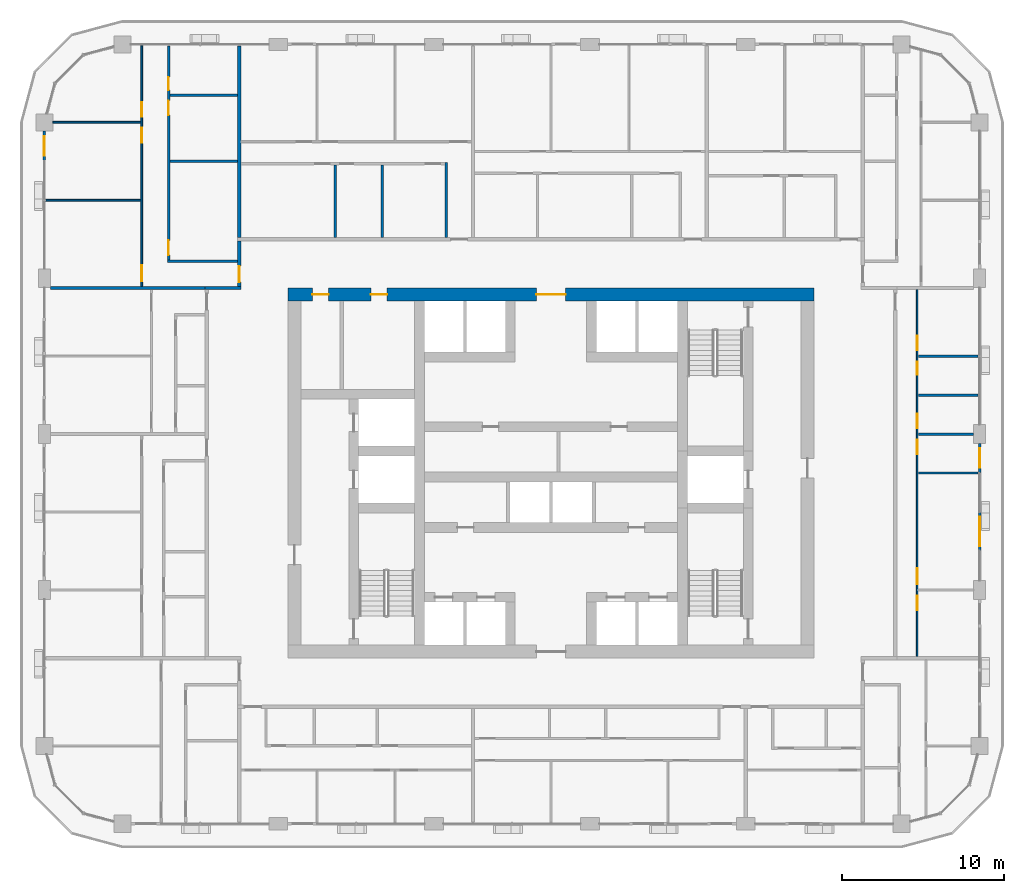
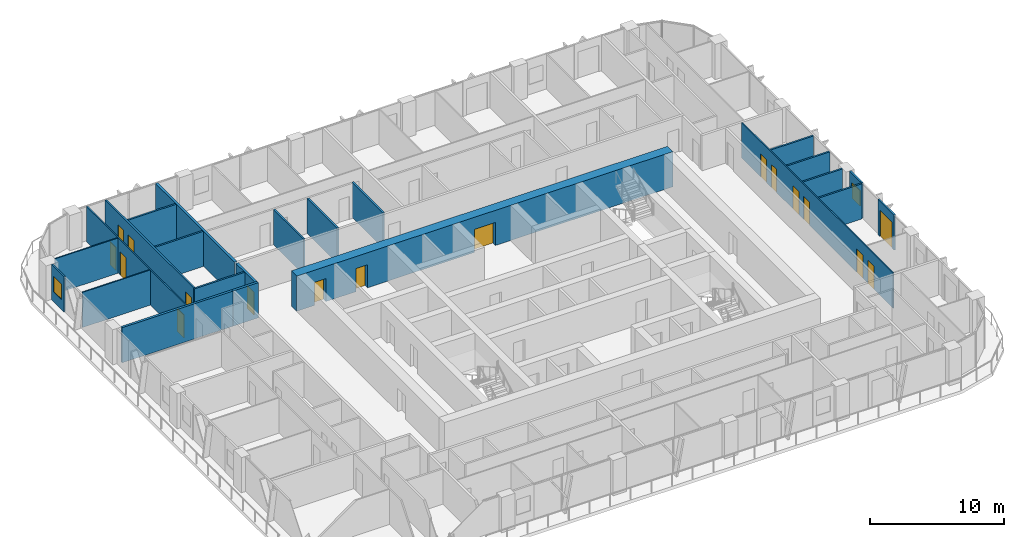
# One storey, part 13 of 22: 23 walls, 17 doors, 2 windows, 19 openings.
"""IFC4 building model written with IfcOpenShell, lengths in metres."""

from ifc_helpers import new_model, si_unit, direction, frame, frame_2d, origin, place, context, subcontext, project, spatial, rectangle, extrude, material, layer, layer_set, type_object, element, fill, save


model = new_model("IFC4")

# Units and contexts
model_context = context("Model", 3, precision=1e-05, world=origin(), true_north=direction((0.0, 1.0)))
body_context = subcontext(model_context, "Body", "Model", "MODEL_VIEW")
ifc_project = project(units=[si_unit("LENGTHUNIT", "METRE"), si_unit("AREAUNIT", "SQUARE_METRE"), si_unit("VOLUMEUNIT", "CUBIC_METRE"), si_unit("PLANEANGLEUNIT", "RADIAN"), si_unit("MASSUNIT", "GRAM", prefix="KILO")], contexts=[model_context])

# Site, building, storey
site_placement = place(None, origin())
site = spatial("IfcSite", under=ifc_project, at=site_placement, CompositionType="ELEMENT")
building_placement = place(site_placement, origin())
building = spatial("IfcBuilding", under=site, at=building_placement, Name="Madar Terraces", CompositionType="ELEMENT")
storey_placement = place(building_placement, frame((0.0, 0.0, 119.10009765625)))
storey = spatial("IfcBuildingStorey", under=building, at=storey_placement, Name="L30", CompositionType="ELEMENT", Elevation=119.10009765625)

# Wall, openings, doors
ifc_material_1 = material(Name="Concrete C70/85", Category="concrete")
ifc_layer_1 = layer(ifc_material_1, 0.800048828125)
ifc_layer_set_1 = layer_set([ifc_layer_1], Name="Concrete C70/85 (CRW3 RC wall 800)")
wall_type_1 = type_object("IfcWallType", Name="CRW3 RC wall 800", PredefinedType="SHEAR", material=ifc_layer_set_1)
wall_1_placement = place(storey_placement, frame((15.0, 37.39990234375, 0.0), z_axis=(0.0, 0.0, 1.0), x_axis=(1.0, 0.0, 0.0)))
wall_1 = element("IfcWall", 1, at=wall_1_placement, inside=storey, type_object=wall_type_1, Name="CORE OUTER WALL", PredefinedType="SHEAR", context=body_context, shape_type="SweptSolid", body=[
    extrude(rectangle(XDim=32.39990234375, YDim=0.800048828125, at=frame_2d((16.199951171875, 0.0))), origin(), (0.0, 0.0, 1.0), 3.199951171875),
])
opening_1_placement = place(wall_1_placement, frame((15.300048828125, 0.0, 0.0)))
opening_1 = element("IfcOpeningElement", 2, at=opening_1_placement, cuts=wall_1, Name="Opening KD1", PredefinedType="OPENING", context=body_context, shape_type="SweptSolid", body=[
    extrude(rectangle(XDim=1.800048828125, YDim=2.10009765625, at=frame_2d((0.89990234375, 1.050048828125))), frame((0.0, 0.409912109375, 0.0), z_axis=(0.0, -1.0, 0.0), x_axis=(1.0, 0.0, 0.0)), (0.0, 0.0, 1.0), 0.820068359375),
])
opening_2_placement = place(wall_1_placement, frame((1.510009765625, 0.0, 0.0)))
opening_2 = element("IfcOpeningElement", 3, at=opening_2_placement, cuts=wall_1, Name="Opening KD2", PredefinedType="OPENING", context=body_context, shape_type="SweptSolid", body=[
    extrude(rectangle(XDim=1.0, YDim=2.10009765625, at=frame_2d((0.5, 1.050048828125))), frame((0.0, 0.409912109375, 0.0), z_axis=(0.0, -1.0, 0.0), x_axis=(1.0, 0.0, 0.0)), (0.0, 0.0, 1.0), 0.820068359375),
])
opening_3_placement = place(wall_1_placement, frame((5.110107421875, 0.0, 0.0)))
opening_3 = element("IfcOpeningElement", 4, at=opening_3_placement, cuts=wall_1, Name="Opening KD2", PredefinedType="OPENING", context=body_context, shape_type="SweptSolid", body=[
    extrude(rectangle(XDim=1.0, YDim=2.10009765625, at=frame_2d((0.5, 1.050048828125))), frame((0.0, 0.409912109375, 0.0), z_axis=(0.0, -1.0, 0.0), x_axis=(1.0, 0.0, 0.0)), (0.0, 0.0, 1.0), 0.820068359375),
])
ifc_material_2 = material(Name="Steel door leaf", Category="steel")
door_type_1 = type_object("IfcDoorType", Name="Lobby door pair 1800 x 2100", OperationType="DOUBLE_DOOR_SINGLE_SWING", PredefinedType="DOOR", material=ifc_material_2)
door_1_placement = place(opening_1_placement, origin())
door_1 = element("IfcDoor", 5, at=door_1_placement, inside=storey, type_object=door_type_1, Name="LIFT LOBBY DOOR", OperationType="DOUBLE_DOOR_SINGLE_SWING", OverallHeight=2.10009765625, OverallWidth=1.800048828125, PredefinedType="DOOR", context=body_context, shape_type="SweptSolid", body=[
    extrude(rectangle(XDim=1.800048828125, YDim=2.10009765625, at=frame_2d((0.89990234375, 1.050048828125))), frame((0.0, 0.02490234375, 0.0), z_axis=(0.0, -1.0, 0.0), x_axis=(1.0, 0.0, 0.0)), (0.0, 0.0, 1.0), 0.050048828125),
])
fill(opening_1, door_1)
ifc_material_3 = material(Name="Steel door leaf", Category="steel")
door_type_2 = type_object("IfcDoorType", Name="Service room door 1000 x 2100", OperationType="NOTDEFINED", PredefinedType="DOOR", material=ifc_material_3)
door_2_placement = place(opening_2_placement, origin())
door_2 = element("IfcDoor", 6, at=door_2_placement, inside=storey, type_object=door_type_2, Name="SERVICE ROOM DOOR", OperationType="SINGLE_SWING_LEFT", OverallHeight=2.10009765625, OverallWidth=1.0, PredefinedType="DOOR", context=body_context, shape_type="SweptSolid", body=[
    extrude(rectangle(XDim=1.0, YDim=2.10009765625, at=frame_2d((0.5, 1.050048828125))), frame((0.0, 0.02490234375, 0.0), z_axis=(0.0, -1.0, 0.0), x_axis=(1.0, 0.0, 0.0)), (0.0, 0.0, 1.0), 0.050048828125),
])
fill(opening_2, door_2)
door_3_placement = place(opening_3_placement, origin())
door_3 = element("IfcDoor", 7, at=door_3_placement, inside=storey, type_object=door_type_2, Name="SERVICE ROOM DOOR", OperationType="SINGLE_SWING_RIGHT", OverallHeight=2.10009765625, OverallWidth=1.0, PredefinedType="DOOR", context=body_context, shape_type="SweptSolid", body=[
    extrude(rectangle(XDim=1.0, YDim=2.10009765625, at=frame_2d((0.5, 1.050048828125))), frame((0.0, 0.02490234375, 0.0), z_axis=(0.0, -1.0, 0.0), x_axis=(1.0, 0.0, 0.0)), (0.0, 0.0, 1.0), 0.050048828125),
])
fill(opening_3, door_3)

# Wall, opening, door
ifc_material_4 = material(Name="Aluminium composite panel, black, over insulated backing", Category="aluminium")
ifc_layer_2 = layer(ifc_material_4, 0.14990234375)
ifc_layer_set_2 = layer_set([ifc_layer_2], Name="Facade bay panel 150")
wall_type_2 = type_object("IfcWallType", Name="Facade bay panel 150", PredefinedType="SOLIDWALL", material=ifc_layer_set_2)
wall_2_placement = place(storey_placement, frame((57.60009765625, 21.60009765625, 0.0), z_axis=(0.0, 0.0, 1.0), x_axis=(0.0, 1.0, 0.0)))
wall_2 = element("IfcWall", 8, at=wall_2_placement, inside=storey, type_object=wall_type_2, Name="Facade bay panel", PredefinedType="SOLIDWALL", context=body_context, shape_type="SweptSolid", body=[
    extrude(rectangle(XDim=2.39990234375, YDim=0.14990234375, at=frame_2d((1.199951171875, 0.0))), origin(), (0.0, 0.0, 1.0), 3.199951171875),
])
opening_4_placement = place(wall_2_placement, frame((0.300048828125, 0.0, 0.0)))
opening_4 = element("IfcOpeningElement", 9, at=opening_4_placement, cuts=wall_2, Name="Opening ED1", PredefinedType="OPENING", context=body_context, shape_type="SweptSolid", body=[
    extrude(rectangle(XDim=1.800048828125, YDim=2.39990234375, at=frame_2d((0.89990234375, 1.199951171875))), frame((0.0, 0.0849609375, 0.0), z_axis=(0.0, -1.0, 0.0), x_axis=(1.0, 0.0, 0.0)), (0.0, 0.0, 1.0), 0.169921875),
])
ifc_material_5 = material(Name="Glass, clear, with black aluminium frame", Category="aluminium")
door_type_3 = type_object("IfcDoorType", Name="Balcony and terrace sliding door 1800 x 2400", OperationType="SLIDING_TO_LEFT", PredefinedType="DOOR", material=ifc_material_5)
door_4_placement = place(opening_4_placement, origin())
door_4 = element("IfcDoor", 10, at=door_4_placement, inside=storey, type_object=door_type_3, Name="Balcony door", OperationType="SLIDING_TO_RIGHT", OverallHeight=2.39990234375, OverallWidth=1.800048828125, PredefinedType="DOOR", context=body_context, shape_type="SweptSolid", body=[
    extrude(rectangle(XDim=1.800048828125, YDim=2.39990234375, at=frame_2d((0.89990234375, 1.199951171875))), frame((0.0, 0.02490234375, 0.0), z_axis=(0.0, -1.0, 0.0), x_axis=(1.0, 0.0, 0.0)), (0.0, 0.0, 1.0), 0.050048828125),
])
fill(opening_4, door_4)

# Wall, opening, window
wall_3_placement = place(storey_placement, frame((57.60009765625, 26.39990234375, 0.0), z_axis=(0.0, 0.0, 1.0), x_axis=(0.0, 1.0, 0.0)))
wall_3 = element("IfcWall", 11, at=wall_3_placement, inside=storey, type_object=wall_type_2, Name="Facade bay panel", PredefinedType="SOLIDWALL", context=body_context, shape_type="SweptSolid", body=[
    extrude(rectangle(XDim=1.8251953125, YDim=0.14990234375, at=frame_2d((0.91259765625, 0.0))), origin(), (0.0, 0.0, 1.0), 3.199951171875),
])
opening_5_placement = place(wall_3_placement, frame((0.3125, 0.0, 0.89990234375)))
opening_5 = element("IfcOpeningElement", 12, at=opening_5_placement, cuts=wall_3, Name="Opening W1", PredefinedType="OPENING", context=body_context, shape_type="SweptSolid", body=[
    extrude(rectangle(XDim=1.199951171875, YDim=1.39990234375, at=frame_2d((0.60009765625, 0.699951171875))), frame((0.0, 0.0849609375, 0.0), z_axis=(0.0, -1.0, 0.0), x_axis=(1.0, 0.0, 0.0)), (0.0, 0.0, 1.0), 0.169921875),
])
ifc_material_6 = material(Name="Glass, clear, with black aluminium frame", Category="aluminium")
window_type = type_object("IfcWindowType", Name="Vent window 1200 x 1400", PartitioningType="SINGLE_PANEL", PredefinedType="WINDOW", material=ifc_material_6)
window_1_placement = place(opening_5_placement, origin())
window_1 = element("IfcWindow", 13, at=window_1_placement, inside=storey, type_object=window_type, Name="Operable vent window", OverallHeight=1.39990234375, OverallWidth=1.199951171875, PartitioningType="SINGLE_PANEL", PredefinedType="WINDOW", context=body_context, shape_type="SweptSolid", body=[
    extrude(rectangle(XDim=1.199951171875, YDim=1.39990234375, at=frame_2d((0.60009765625, 0.699951171875))), frame((0.0, 0.030029296875, 0.0), z_axis=(0.0, -1.0, 0.0), x_axis=(1.0, 0.0, 0.0)), (0.0, 0.0, 1.0), 0.06005859375),
])
fill(opening_5, window_1)

wall_4_placement = place(storey_placement, frame((0.0, 47.47509765625, 0.0), z_axis=(0.0, 0.0, 1.0), x_axis=(0.0, -1.0, 0.0)))
wall_4 = element("IfcWall", 14, at=wall_4_placement, inside=storey, type_object=wall_type_2, Name="Facade bay panel", PredefinedType="SOLIDWALL", context=body_context, shape_type="SweptSolid", body=[
    extrude(rectangle(XDim=1.875, YDim=0.14990234375, at=frame_2d((0.9375, 0.0))), origin(), (0.0, 0.0, 1.0), 3.199951171875),
])
opening_6_placement = place(wall_4_placement, frame((0.33740234375, 0.0, 0.89990234375)))
opening_6 = element("IfcOpeningElement", 15, at=opening_6_placement, cuts=wall_4, Name="Opening W1", PredefinedType="OPENING", context=body_context, shape_type="SweptSolid", body=[
    extrude(rectangle(XDim=1.199951171875, YDim=1.39990234375, at=frame_2d((0.60009765625, 0.699951171875))), frame((0.0, 0.0849609375, 0.0), z_axis=(0.0, -1.0, 0.0), x_axis=(1.0, 0.0, 0.0)), (0.0, 0.0, 1.0), 0.169921875),
])
window_2_placement = place(opening_6_placement, origin())
window_2 = element("IfcWindow", 16, at=window_2_placement, inside=storey, type_object=window_type, Name="Operable vent window", OverallHeight=1.39990234375, OverallWidth=1.199951171875, PartitioningType="SINGLE_PANEL", PredefinedType="WINDOW", context=body_context, shape_type="SweptSolid", body=[
    extrude(rectangle(XDim=1.199951171875, YDim=1.39990234375, at=frame_2d((0.60009765625, 0.699951171875))), frame((0.0, 0.030029296875, 0.0), z_axis=(0.0, -1.0, 0.0), x_axis=(1.0, 0.0, 0.0)), (0.0, 0.0, 1.0), 0.06005859375),
])
fill(opening_6, window_2)

# Wall, openings, doors
ifc_material_7 = material(Name="Gypsum board on steel studs", Category="steel")
ifc_layer_3 = layer(ifc_material_7, 0.10009765625)
ifc_layer_set_3 = layer_set([ifc_layer_3], Name="Flat partition 100")
wall_type_3 = type_object("IfcWallType", Name="Flat partition 100", PredefinedType="PARTITIONING", material=ifc_layer_set_3)
wall_5_placement = place(storey_placement, frame((53.75, 37.699951171875, 0.0), z_axis=(0.0, 0.0, 1.0), x_axis=(0.0, -1.0, 0.0)))
wall_5 = element("IfcWall", 17, at=wall_5_placement, inside=storey, type_object=wall_type_3, Name="Flat partition 100", PredefinedType="PARTITIONING", context=body_context, shape_type="SweptSolid", body=[
    extrude(rectangle(XDim=22.599853515625, YDim=0.10009765625, at=frame_2d((11.2998046875, 0.0))), origin(), (0.0, 0.0, 1.0), 3.199951171875),
])
opening_7_placement = place(wall_5_placement, frame((2.85009765625, 0.0, 0.0)))
opening_7 = element("IfcOpeningElement", 18, at=opening_7_placement, cuts=wall_5, Name="Opening D2", PredefinedType="OPENING", context=body_context, shape_type="SweptSolid", body=[
    extrude(rectangle(XDim=0.89990234375, YDim=2.10009765625, at=frame_2d((0.449951171875, 1.050048828125))), frame((0.0, 0.06005859375, 0.0), z_axis=(0.0, -1.0, 0.0), x_axis=(1.0, 0.0, 0.0)), (0.0, 0.0, 1.0), 0.1201171875),
])
opening_8_placement = place(wall_5_placement, frame((4.449951171875, 0.0, 0.0)))
opening_8 = element("IfcOpeningElement", 19, at=opening_8_placement, cuts=wall_5, Name="Opening D4", PredefinedType="OPENING", context=body_context, shape_type="SweptSolid", body=[
    extrude(rectangle(XDim=0.800048828125, YDim=2.10009765625, at=frame_2d((0.39990234375, 1.050048828125))), frame((0.0, 0.06005859375, 0.0), z_axis=(0.0, -1.0, 0.0), x_axis=(1.0, 0.0, 0.0)), (0.0, 0.0, 1.0), 0.1201171875),
])
opening_9_placement = place(wall_5_placement, frame((7.64990234375, 0.0, 0.0)))
opening_9 = element("IfcOpeningElement", 20, at=opening_9_placement, cuts=wall_5, Name="Opening D5", PredefinedType="OPENING", context=body_context, shape_type="SweptSolid", body=[
    extrude(rectangle(XDim=0.89990234375, YDim=2.10009765625, at=frame_2d((0.449951171875, 1.050048828125))), frame((0.0, 0.06005859375, 0.0), z_axis=(0.0, -1.0, 0.0), x_axis=(1.0, 0.0, 0.0)), (0.0, 0.0, 1.0), 0.1201171875),
])
opening_10_placement = place(wall_5_placement, frame((9.25, 0.0, 0.0)))
opening_10 = element("IfcOpeningElement", 21, at=opening_10_placement, cuts=wall_5, Name="Opening D2", PredefinedType="OPENING", context=body_context, shape_type="SweptSolid", body=[
    extrude(rectangle(XDim=0.89990234375, YDim=2.10009765625, at=frame_2d((0.449951171875, 1.050048828125))), frame((0.0, 0.06005859375, 0.0), z_axis=(0.0, -1.0, 0.0), x_axis=(1.0, 0.0, 0.0)), (0.0, 0.0, 1.0), 0.1201171875),
])
opening_11_placement = place(wall_5_placement, frame((17.14990234375, 0.0, 0.0)))
opening_11 = element("IfcOpeningElement", 22, at=opening_11_placement, cuts=wall_5, Name="Opening D3", PredefinedType="OPENING", context=body_context, shape_type="SweptSolid", body=[
    extrude(rectangle(XDim=1.0, YDim=2.10009765625, at=frame_2d((0.5, 1.050048828125))), frame((0.0, 0.06005859375, 0.0), z_axis=(0.0, -1.0, 0.0), x_axis=(1.0, 0.0, 0.0)), (0.0, 0.0, 1.0), 0.1201171875),
])
opening_12_placement = place(wall_5_placement, frame((18.85009765625, 0.0, 0.0)))
opening_12 = element("IfcOpeningElement", 23, at=opening_12_placement, cuts=wall_5, Name="Opening D2", PredefinedType="OPENING", context=body_context, shape_type="SweptSolid", body=[
    extrude(rectangle(XDim=0.89990234375, YDim=2.10009765625, at=frame_2d((0.449951171875, 1.050048828125))), frame((0.0, 0.06005859375, 0.0), z_axis=(0.0, -1.0, 0.0), x_axis=(1.0, 0.0, 0.0)), (0.0, 0.0, 1.0), 0.1201171875),
])
ifc_material_8 = material(Name="Timber door leaf", Category="wood")
door_type_4 = type_object("IfcDoorType", Name="Flat accessible bathroom door 900", OperationType="NOTDEFINED", PredefinedType="DOOR", material=ifc_material_8)
door_5_placement = place(opening_9_placement, origin())
door_5 = element("IfcDoor", 24, at=door_5_placement, inside=storey, type_object=door_type_4, Name="Flat accessible bathroom door 900", OperationType="SINGLE_SWING_RIGHT", OverallHeight=2.10009765625, OverallWidth=0.89990234375, PredefinedType="DOOR", context=body_context, shape_type="SweptSolid", body=[
    extrude(rectangle(XDim=0.89990234375, YDim=2.10009765625, at=frame_2d((0.449951171875, 1.050048828125))), frame((0.0, 0.02490234375, 0.0), z_axis=(0.0, -1.0, 0.0), x_axis=(1.0, 0.0, 0.0)), (0.0, 0.0, 1.0), 0.050048828125),
])
fill(opening_9, door_5)
ifc_material_9 = material(Name="Timber door leaf", Category="wood")
door_type_5 = type_object("IfcDoorType", Name="Flat bathroom door 800", OperationType="NOTDEFINED", PredefinedType="DOOR", material=ifc_material_9)
door_6_placement = place(opening_8_placement, origin())
door_6 = element("IfcDoor", 25, at=door_6_placement, inside=storey, type_object=door_type_5, Name="Flat bathroom door 800", OperationType="SINGLE_SWING_LEFT", OverallHeight=2.10009765625, OverallWidth=0.800048828125, PredefinedType="DOOR", context=body_context, shape_type="SweptSolid", body=[
    extrude(rectangle(XDim=0.800048828125, YDim=2.10009765625, at=frame_2d((0.39990234375, 1.050048828125))), frame((0.0, 0.02490234375, 0.0), z_axis=(0.0, -1.0, 0.0), x_axis=(1.0, 0.0, 0.0)), (0.0, 0.0, 1.0), 0.050048828125),
])
fill(opening_8, door_6)
ifc_material_10 = material(Name="Timber door leaf", Category="wood")
door_type_6 = type_object("IfcDoorType", Name="Flat living room door 1000", OperationType="NOTDEFINED", PredefinedType="DOOR", material=ifc_material_10)
door_7_placement = place(opening_11_placement, origin())
door_7 = element("IfcDoor", 26, at=door_7_placement, inside=storey, type_object=door_type_6, Name="Flat living room door 1000", OperationType="SINGLE_SWING_RIGHT", OverallHeight=2.10009765625, OverallWidth=1.0, PredefinedType="DOOR", context=body_context, shape_type="SweptSolid", body=[
    extrude(rectangle(XDim=1.0, YDim=2.10009765625, at=frame_2d((0.5, 1.050048828125))), frame((0.0, 0.02490234375, 0.0), z_axis=(0.0, -1.0, 0.0), x_axis=(1.0, 0.0, 0.0)), (0.0, 0.0, 1.0), 0.050048828125),
])
fill(opening_11, door_7)
ifc_material_11 = material(Name="Timber door leaf", Category="wood")
door_type_7 = type_object("IfcDoorType", Name="Flat room door 900", OperationType="NOTDEFINED", PredefinedType="DOOR", material=ifc_material_11)
door_8_placement = place(opening_7_placement, origin())
door_8 = element("IfcDoor", 27, at=door_8_placement, inside=storey, type_object=door_type_7, Name="Flat room door 900", OperationType="SINGLE_SWING_RIGHT", OverallHeight=2.10009765625, OverallWidth=0.89990234375, PredefinedType="DOOR", context=body_context, shape_type="SweptSolid", body=[
    extrude(rectangle(XDim=0.89990234375, YDim=2.10009765625, at=frame_2d((0.449951171875, 1.050048828125))), frame((0.0, 0.02490234375, 0.0), z_axis=(0.0, -1.0, 0.0), x_axis=(1.0, 0.0, 0.0)), (0.0, 0.0, 1.0), 0.050048828125),
])
fill(opening_7, door_8)
door_9_placement = place(opening_10_placement, origin())
door_9 = element("IfcDoor", 28, at=door_9_placement, inside=storey, type_object=door_type_7, Name="Flat room door 900", OperationType="SINGLE_SWING_LEFT", OverallHeight=2.10009765625, OverallWidth=0.89990234375, PredefinedType="DOOR", context=body_context, shape_type="SweptSolid", body=[
    extrude(rectangle(XDim=0.89990234375, YDim=2.10009765625, at=frame_2d((0.449951171875, 1.050048828125))), frame((0.0, 0.02490234375, 0.0), z_axis=(0.0, -1.0, 0.0), x_axis=(1.0, 0.0, 0.0)), (0.0, 0.0, 1.0), 0.050048828125),
])
fill(opening_10, door_9)
door_10_placement = place(opening_12_placement, origin())
door_10 = element("IfcDoor", 29, at=door_10_placement, inside=storey, type_object=door_type_7, Name="Flat room door 900", OperationType="SINGLE_SWING_LEFT", OverallHeight=2.10009765625, OverallWidth=0.89990234375, PredefinedType="DOOR", context=body_context, shape_type="SweptSolid", body=[
    extrude(rectangle(XDim=0.89990234375, YDim=2.10009765625, at=frame_2d((0.449951171875, 1.050048828125))), frame((0.0, 0.02490234375, 0.0), z_axis=(0.0, -1.0, 0.0), x_axis=(1.0, 0.0, 0.0)), (0.0, 0.0, 1.0), 0.050048828125),
])
fill(opening_12, door_10)

# Walls
wall_6_placement = place(storey_placement, frame((5.949951171875, 43.199951171875, 0.0), z_axis=(0.0, 0.0, 1.0), x_axis=(-1.0, 0.0, 0.0)))
element("IfcWall", 30, at=wall_6_placement, inside=storey, type_object=wall_type_3, Name="Flat partition 100", PredefinedType="PARTITIONING", context=body_context, shape_type="SweptSolid", body=[
    extrude(rectangle(XDim=5.849853515625, YDim=0.10009765625, at=frame_2d((2.9248046875, 0.0))), origin(), (0.0, 0.0, 1.0), 3.199951171875),
])
wall_7_placement = place(storey_placement, frame((5.949951171875, 48.0, 0.0), z_axis=(0.0, 0.0, 1.0), x_axis=(-1.0, 0.0, 0.0)))
element("IfcWall", 31, at=wall_7_placement, inside=storey, type_object=wall_type_3, Name="Flat partition 100", PredefinedType="PARTITIONING", context=body_context, shape_type="SweptSolid", body=[
    extrude(rectangle(XDim=5.425048828125, YDim=0.10009765625, at=frame_2d((2.71240234375, 0.0))), origin(), (0.0, 0.0, 1.0), 3.199951171875),
])

# Wall, openings, doors
wall_8_placement = place(storey_placement, frame((6.0, 37.89990234375, 0.0), z_axis=(0.0, 0.0, 1.0), x_axis=(0.0, 1.0, 0.0)))
wall_8 = element("IfcWall", 32, at=wall_8_placement, inside=storey, type_object=wall_type_3, Name="Flat partition 100", PredefinedType="PARTITIONING", context=body_context, shape_type="SweptSolid", body=[
    extrude(rectangle(XDim=14.800048828125, YDim=0.10009765625, at=frame_2d((7.39990234375, 0.0))), origin(), (0.0, 0.0, 1.0), 3.199951171875),
])
opening_13_placement = place(wall_8_placement, frame((0.300048828125, 0.0, 0.0)))
opening_13 = element("IfcOpeningElement", 33, at=opening_13_placement, cuts=wall_8, Name="Opening D3", PredefinedType="OPENING", context=body_context, shape_type="SweptSolid", body=[
    extrude(rectangle(XDim=1.0, YDim=2.10009765625, at=frame_2d((0.5, 1.050048828125))), frame((0.0, 0.06005859375, 0.0), z_axis=(0.0, -1.0, 0.0), x_axis=(1.0, 0.0, 0.0)), (0.0, 0.0, 1.0), 0.1201171875),
])
opening_14_placement = place(wall_8_placement, frame((8.85009765625, 0.0, 0.0)))
opening_14 = element("IfcOpeningElement", 34, at=opening_14_placement, cuts=wall_8, Name="Opening D2", PredefinedType="OPENING", context=body_context, shape_type="SweptSolid", body=[
    extrude(rectangle(XDim=0.89990234375, YDim=2.10009765625, at=frame_2d((0.449951171875, 1.050048828125))), frame((0.0, 0.06005859375, 0.0), z_axis=(0.0, -1.0, 0.0), x_axis=(1.0, 0.0, 0.0)), (0.0, 0.0, 1.0), 0.1201171875),
])
opening_15_placement = place(wall_8_placement, frame((10.449951171875, 0.0, 0.0)))
opening_15 = element("IfcOpeningElement", 35, at=opening_15_placement, cuts=wall_8, Name="Opening D2", PredefinedType="OPENING", context=body_context, shape_type="SweptSolid", body=[
    extrude(rectangle(XDim=0.89990234375, YDim=2.10009765625, at=frame_2d((0.449951171875, 1.050048828125))), frame((0.0, 0.06005859375, 0.0), z_axis=(0.0, -1.0, 0.0), x_axis=(1.0, 0.0, 0.0)), (0.0, 0.0, 1.0), 0.1201171875),
])
door_11_placement = place(opening_13_placement, origin())
door_11 = element("IfcDoor", 36, at=door_11_placement, inside=storey, type_object=door_type_6, Name="Flat living room door 1000", OperationType="SINGLE_SWING_LEFT", OverallHeight=2.10009765625, OverallWidth=1.0, PredefinedType="DOOR", context=body_context, shape_type="SweptSolid", body=[
    extrude(rectangle(XDim=1.0, YDim=2.10009765625, at=frame_2d((0.5, 1.050048828125))), frame((0.0, 0.02490234375, 0.0), z_axis=(0.0, -1.0, 0.0), x_axis=(1.0, 0.0, 0.0)), (0.0, 0.0, 1.0), 0.050048828125),
])
fill(opening_13, door_11)
door_12_placement = place(opening_14_placement, origin())
door_12 = element("IfcDoor", 37, at=door_12_placement, inside=storey, type_object=door_type_7, Name="Flat room door 900", OperationType="SINGLE_SWING_RIGHT", OverallHeight=2.10009765625, OverallWidth=0.89990234375, PredefinedType="DOOR", context=body_context, shape_type="SweptSolid", body=[
    extrude(rectangle(XDim=0.89990234375, YDim=2.10009765625, at=frame_2d((0.449951171875, 1.050048828125))), frame((0.0, 0.02490234375, 0.0), z_axis=(0.0, -1.0, 0.0), x_axis=(1.0, 0.0, 0.0)), (0.0, 0.0, 1.0), 0.050048828125),
])
fill(opening_14, door_12)
door_13_placement = place(opening_15_placement, origin())
door_13 = element("IfcDoor", 38, at=door_13_placement, inside=storey, type_object=door_type_7, Name="Flat room door 900", OperationType="SINGLE_SWING_LEFT", OverallHeight=2.10009765625, OverallWidth=0.89990234375, PredefinedType="DOOR", context=body_context, shape_type="SweptSolid", body=[
    extrude(rectangle(XDim=0.89990234375, YDim=2.10009765625, at=frame_2d((0.449951171875, 1.050048828125))), frame((0.0, 0.02490234375, 0.0), z_axis=(0.0, -1.0, 0.0), x_axis=(1.0, 0.0, 0.0)), (0.0, 0.0, 1.0), 0.050048828125),
])
fill(opening_15, door_13)

# Wall, opening, door
ifc_material_12 = material(Name="Lightweight blockwork", Category="masonry")
ifc_layer_4 = layer(ifc_material_12, 0.199951171875)
ifc_layer_set_4 = layer_set([ifc_layer_4], Name="Flat party and entrance wall 200")
wall_type_4 = type_object("IfcWallType", Name="Flat party and entrance wall 200", PredefinedType="PARTITIONING", material=ifc_layer_set_4)
wall_9_placement = place(storey_placement, frame((12.0, 37.89990234375, 0.0), z_axis=(0.0, 0.0, 1.0), x_axis=(0.0, 1.0, 0.0)))
wall_9 = element("IfcWall", 39, at=wall_9_placement, inside=storey, type_object=wall_type_4, Name="Flat party and entrance wall 200", PredefinedType="PARTITIONING", context=body_context, shape_type="SweptSolid", body=[
    extrude(rectangle(XDim=2.800048828125, YDim=0.199951171875, at=frame_2d((1.39990234375, 0.0))), origin(), (0.0, 0.0, 1.0), 3.199951171875),
])
opening_16_placement = place(wall_9_placement, frame((0.25, 0.0, 0.0)))
opening_16 = element("IfcOpeningElement", 40, at=opening_16_placement, cuts=wall_9, Name="Opening D1", PredefinedType="OPENING", context=body_context, shape_type="SweptSolid", body=[
    extrude(rectangle(XDim=1.0, YDim=2.10009765625, at=frame_2d((0.5, 1.050048828125))), frame((0.0, 0.10986328125, 0.0), z_axis=(0.0, -1.0, 0.0), x_axis=(1.0, 0.0, 0.0)), (0.0, 0.0, 1.0), 0.219970703125),
])
ifc_material_13 = material(Name="Timber fire door leaf", Category="wood")
door_type_8 = type_object("IfcDoorType", Name="Flat entrance door 1000 FD30S", OperationType="NOTDEFINED", PredefinedType="DOOR", material=ifc_material_13)
door_14_placement = place(opening_16_placement, origin())
door_14 = element("IfcDoor", 41, at=door_14_placement, inside=storey, type_object=door_type_8, Name="Flat entrance door 1000 FD30S", OperationType="SINGLE_SWING_LEFT", OverallHeight=2.10009765625, OverallWidth=1.0, PredefinedType="DOOR", context=body_context, shape_type="SweptSolid", body=[
    extrude(rectangle(XDim=1.0, YDim=2.10009765625, at=frame_2d((0.5, 1.050048828125))), frame((0.0, 0.02490234375, 0.0), z_axis=(0.0, -1.0, 0.0), x_axis=(1.0, 0.0, 0.0)), (0.0, 0.0, 1.0), 0.050048828125),
])
fill(opening_16, door_14)

# Walls
wall_10_placement = place(storey_placement, frame((12.10009765625, 37.800048828125, 0.0), z_axis=(0.0, 0.0, 1.0), x_axis=(-1.0, 0.0, 0.0)))
element("IfcWall", 42, at=wall_10_placement, inside=storey, type_object=wall_type_4, Name="Flat party and entrance wall 200", PredefinedType="PARTITIONING", context=body_context, shape_type="SweptSolid", body=[
    extrude(rectangle(XDim=2.2001953125, YDim=0.199951171875, at=frame_2d((1.10009765625, 0.0))), origin(), (0.0, 0.0, 1.0), 3.199951171875),
])
wall_11_placement = place(storey_placement, frame((12.0, 52.699951171875, 0.0), z_axis=(0.0, 0.0, 1.0), x_axis=(0.0, -1.0, 0.0)))
element("IfcWall", 43, at=wall_11_placement, inside=storey, type_object=wall_type_4, Name="Flat party and entrance wall 200", PredefinedType="PARTITIONING", context=body_context, shape_type="SweptSolid", body=[
    extrude(rectangle(XDim=11.800048828125, YDim=0.199951171875, at=frame_2d((5.89990234375, 0.0))), origin(), (0.0, 0.0, 1.0), 3.199951171875),
])
wall_12_placement = place(storey_placement, frame((0.375, 37.800048828125, 0.0), z_axis=(0.0, 0.0, 1.0), x_axis=(1.0, 0.0, 0.0)))
element("IfcWall", 44, at=wall_12_placement, inside=storey, type_object=wall_type_4, Name="Flat party and entrance wall 200", PredefinedType="PARTITIONING", context=body_context, shape_type="SweptSolid", body=[
    extrude(rectangle(XDim=9.52490234375, YDim=0.199951171875, at=frame_2d((4.762451171875, 0.0))), origin(), (0.0, 0.0, 1.0), 3.199951171875),
])
ifc_material_14 = material(Name="Lightweight blockwork", Category="masonry")
ifc_layer_5 = layer(ifc_material_14, 0.14990234375)
ifc_layer_set_5 = layer_set([ifc_layer_5], Name="Flat wet-room partition 150")
wall_type_5 = type_object("IfcWallType", Name="Flat wet-room partition 150", PredefinedType="PARTITIONING", material=ifc_layer_set_5)
for number, where, z_axis, x_axis, name in (
    (45, (53.824951171875, 33.60009765625, 0.0), (0.0, 0.0, 1.0), (1.0, 0.0, 0.0), "Flat wet-room partition 150"),
    (46, (53.824951171875, 31.199951171875, 0.0), (0.0, 0.0, 1.0), (1.0, 0.0, 0.0), "Flat wet-room partition 150"),
):
    element("IfcWall", number, at=place(storey_placement, frame(where, z_axis=z_axis, x_axis=x_axis)), inside=storey, type_object=wall_type_5, Name=name, PredefinedType="PARTITIONING", context=body_context, shape_type="SweptSolid", body=[
        extrude(rectangle(XDim=3.675048828125, YDim=0.14990234375, at=frame_2d((1.83740234375, 0.0))), origin(), (0.0, 0.0, 1.0), 3.199951171875),
    ])
wall_13_placement = place(storey_placement, frame((53.824951171875, 28.800048828125, 0.0), z_axis=(0.0, 0.0, 1.0), x_axis=(1.0, 0.0, 0.0)))
element("IfcWall", 47, at=wall_13_placement, inside=storey, type_object=wall_type_5, Name="Flat wet-room partition 150", PredefinedType="PARTITIONING", context=body_context, shape_type="SweptSolid", body=[
    extrude(rectangle(XDim=3.400146484375, YDim=0.14990234375, at=frame_2d((1.7001953125, 0.0))), origin(), (0.0, 0.0, 1.0), 3.199951171875),
])
wall_14_placement = place(storey_placement, frame((53.824951171875, 26.39990234375, 0.0), z_axis=(0.0, 0.0, 1.0), x_axis=(1.0, 0.0, 0.0)))
element("IfcWall", 48, at=wall_14_placement, inside=storey, type_object=wall_type_5, Name="Flat wet-room partition 150", PredefinedType="PARTITIONING", context=body_context, shape_type="SweptSolid", body=[
    extrude(rectangle(XDim=3.675048828125, YDim=0.14990234375, at=frame_2d((1.83740234375, 0.0))), origin(), (0.0, 0.0, 1.0), 3.199951171875),
])
for number, where, z_axis, x_axis, name in (
    (49, (20.805908203125, 40.89990234375, 0.0), (0.0, 0.0, 1.0), (0.0, 1.0, 0.0), "Flat wet-room partition 150"),
    (50, (17.90380859375, 40.89990234375, 0.0), (0.0, 0.0, 1.0), (0.0, 1.0, 0.0), "Flat wet-room partition 150"),
):
    element("IfcWall", number, at=place(storey_placement, frame(where, z_axis=z_axis, x_axis=x_axis)), inside=storey, type_object=wall_type_5, Name=name, PredefinedType="PARTITIONING", context=body_context, shape_type="SweptSolid", body=[
        extrude(rectangle(XDim=4.47509765625, YDim=0.14990234375, at=frame_2d((2.237548828125, 0.0))), origin(), (0.0, 0.0, 1.0), 3.199951171875),
    ])
wall_15_placement = place(storey_placement, frame((24.75, 40.89990234375, 0.0), z_axis=(0.0, 0.0, 1.0), x_axis=(0.0, 1.0, 0.0)))
element("IfcWall", 51, at=wall_15_placement, inside=storey, type_object=wall_type_5, Name="Flat wet-room partition 150", PredefinedType="PARTITIONING", context=body_context, shape_type="SweptSolid", body=[
    extrude(rectangle(XDim=4.625, YDim=0.14990234375, at=frame_2d((2.3125, 0.0))), origin(), (0.0, 0.0, 1.0), 3.199951171875),
])
for number, where, z_axis, x_axis, name in (
    (52, (11.89990234375, 45.605712890625, 0.0), (0.0, 0.0, 1.0), (-1.0, 0.0, 0.0), "Flat wet-room partition 150"),
    (53, (11.89990234375, 49.65966796875, 0.0), (0.0, 0.0, 1.0), (-1.0, 0.0, 0.0), "Flat wet-room partition 150"),
):
    element("IfcWall", number, at=place(storey_placement, frame(where, z_axis=z_axis, x_axis=x_axis)), inside=storey, type_object=wall_type_5, Name=name, PredefinedType="PARTITIONING", context=body_context, shape_type="SweptSolid", body=[
        extrude(rectangle(XDim=4.1748046875, YDim=0.14990234375, at=frame_2d((2.08740234375, 0.0))), origin(), (0.0, 0.0, 1.0), 3.199951171875),
    ])
wall_16_placement = place(storey_placement, frame((11.89990234375, 39.449951171875, 0.0), z_axis=(0.0, 0.0, 1.0), x_axis=(-1.0, 0.0, 0.0)))
element("IfcWall", 54, at=wall_16_placement, inside=storey, type_object=wall_type_5, Name="Flat wet-room partition 150", PredefinedType="PARTITIONING", context=body_context, shape_type="SweptSolid", body=[
    extrude(rectangle(XDim=4.324951171875, YDim=0.14990234375, at=frame_2d((2.16259765625, 0.0))), origin(), (0.0, 0.0, 1.0), 3.199951171875),
])

# Wall, openings, doors
wall_17_placement = place(storey_placement, frame((7.64990234375, 52.699951171875, 0.0), z_axis=(0.0, 0.0, 1.0), x_axis=(0.0, -1.0, 0.0)))
wall_17 = element("IfcWall", 55, at=wall_17_placement, inside=storey, type_object=wall_type_5, Name="Flat wet-room partition 150", PredefinedType="PARTITIONING", context=body_context, shape_type="SweptSolid", body=[
    extrude(rectangle(XDim=13.175048828125, YDim=0.14990234375, at=frame_2d((6.58740234375, 0.0))), origin(), (0.0, 0.0, 1.0), 3.199951171875),
])
opening_17_placement = place(wall_17_placement, frame((11.97509765625, 0.0, 0.0)))
opening_17 = element("IfcOpeningElement", 56, at=opening_17_placement, cuts=wall_17, Name="Opening D2", PredefinedType="OPENING", context=body_context, shape_type="SweptSolid", body=[
    extrude(rectangle(XDim=0.89990234375, YDim=2.10009765625, at=frame_2d((0.449951171875, 1.050048828125))), frame((0.0, 0.0849609375, 0.0), z_axis=(0.0, -1.0, 0.0), x_axis=(1.0, 0.0, 0.0)), (0.0, 0.0, 1.0), 0.169921875),
])
opening_18_placement = place(wall_17_placement, frame((3.365478515625, 0.0, 0.0)))
opening_18 = element("IfcOpeningElement", 57, at=opening_18_placement, cuts=wall_17, Name="Opening D5", PredefinedType="OPENING", context=body_context, shape_type="SweptSolid", body=[
    extrude(rectangle(XDim=0.89990234375, YDim=2.10009765625, at=frame_2d((0.449951171875, 1.050048828125))), frame((0.0, 0.0849609375, 0.0), z_axis=(0.0, -1.0, 0.0), x_axis=(1.0, 0.0, 0.0)), (0.0, 0.0, 1.0), 0.169921875),
])
opening_19_placement = place(wall_17_placement, frame((1.915283203125, 0.0, 0.0)))
opening_19 = element("IfcOpeningElement", 58, at=opening_19_placement, cuts=wall_17, Name="Opening D4", PredefinedType="OPENING", context=body_context, shape_type="SweptSolid", body=[
    extrude(rectangle(XDim=0.800048828125, YDim=2.10009765625, at=frame_2d((0.39990234375, 1.050048828125))), frame((0.0, 0.0849609375, 0.0), z_axis=(0.0, -1.0, 0.0), x_axis=(1.0, 0.0, 0.0)), (0.0, 0.0, 1.0), 0.169921875),
])
door_15_placement = place(opening_18_placement, origin())
door_15 = element("IfcDoor", 59, at=door_15_placement, inside=storey, type_object=door_type_4, Name="Flat accessible bathroom door 900", OperationType="SINGLE_SWING_LEFT", OverallHeight=2.10009765625, OverallWidth=0.89990234375, PredefinedType="DOOR", context=body_context, shape_type="SweptSolid", body=[
    extrude(rectangle(XDim=0.89990234375, YDim=2.10009765625, at=frame_2d((0.449951171875, 1.050048828125))), frame((0.0, 0.02490234375, 0.0), z_axis=(0.0, -1.0, 0.0), x_axis=(1.0, 0.0, 0.0)), (0.0, 0.0, 1.0), 0.050048828125),
])
fill(opening_18, door_15)
door_16_placement = place(opening_19_placement, origin())
door_16 = element("IfcDoor", 60, at=door_16_placement, inside=storey, type_object=door_type_5, Name="Flat bathroom door 800", OperationType="SINGLE_SWING_RIGHT", OverallHeight=2.10009765625, OverallWidth=0.800048828125, PredefinedType="DOOR", context=body_context, shape_type="SweptSolid", body=[
    extrude(rectangle(XDim=0.800048828125, YDim=2.10009765625, at=frame_2d((0.39990234375, 1.050048828125))), frame((0.0, 0.02490234375, 0.0), z_axis=(0.0, -1.0, 0.0), x_axis=(1.0, 0.0, 0.0)), (0.0, 0.0, 1.0), 0.050048828125),
])
fill(opening_19, door_16)
door_17_placement = place(opening_17_placement, origin())
door_17 = element("IfcDoor", 61, at=door_17_placement, inside=storey, type_object=door_type_7, Name="Flat room door 900", OperationType="SINGLE_SWING_RIGHT", OverallHeight=2.10009765625, OverallWidth=0.89990234375, PredefinedType="DOOR", context=body_context, shape_type="SweptSolid", body=[
    extrude(rectangle(XDim=0.89990234375, YDim=2.10009765625, at=frame_2d((0.449951171875, 1.050048828125))), frame((0.0, 0.02490234375, 0.0), z_axis=(0.0, -1.0, 0.0), x_axis=(1.0, 0.0, 0.0)), (0.0, 0.0, 1.0), 0.050048828125),
])
fill(opening_17, door_17)

save(model, "model.ifc")
